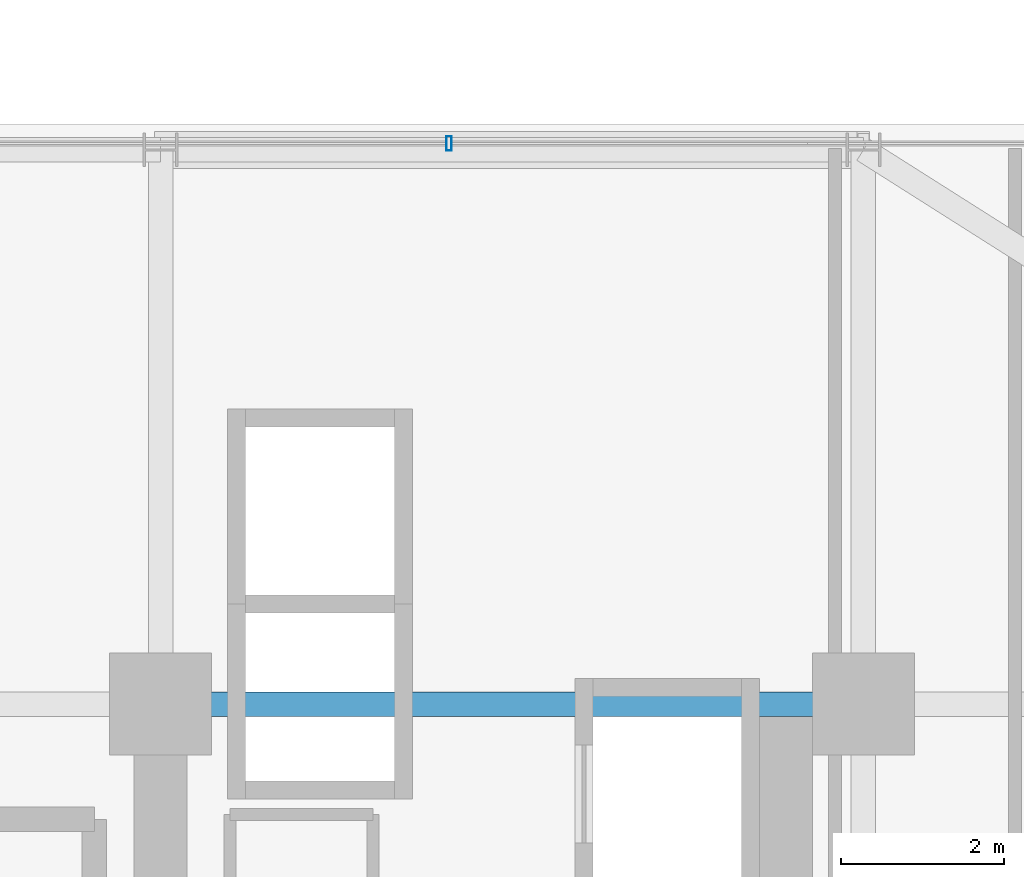
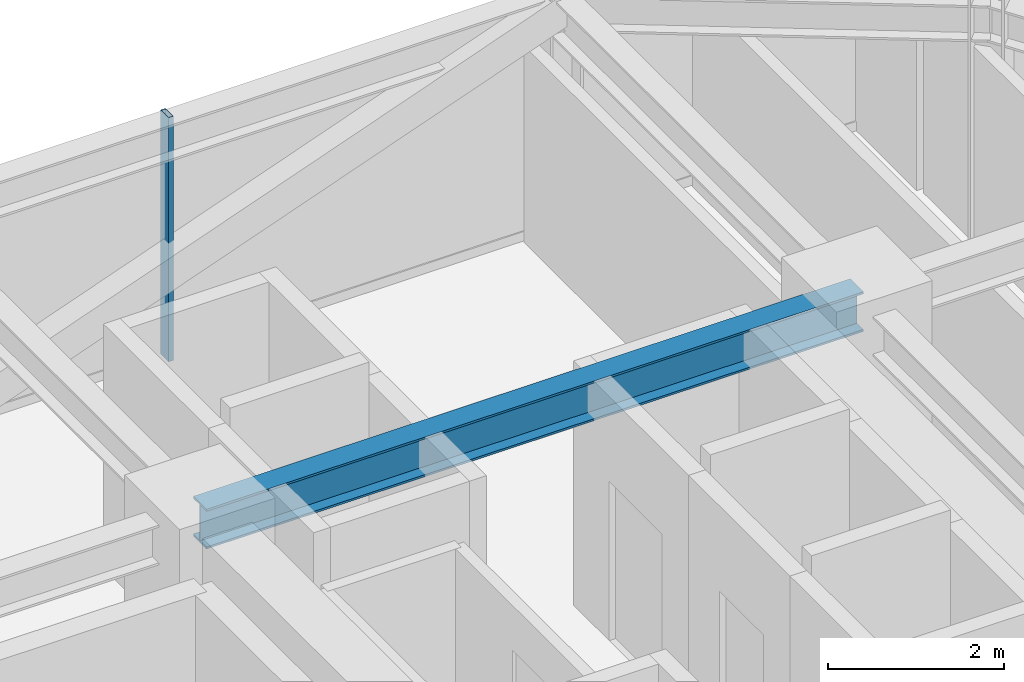
# One storey, part 22 of 40: 1 beam, 1 member, 1 element without a shape of its own.
"""IFC4 building model written with IfcOpenShell, lengths in metres."""

import ifcopenshell
import ifcopenshell.guid

model = None  # the IFC model being written
_history = None  # IfcOwnerHistory: only IFC2X3 demands one
_inside = {}  # id of a spatial element -> (the spatial element, [elements in it])
_under = {}  # id of a project, library or spatial element -> (it, [spatial elements below it])
_declared = {}  # id of a project -> (the project, [libraries it declares])
_typed = {}  # id of a type object -> (the type object, [elements of that type])
_made_of = {}  # id of a material, layer set ... -> (it, [elements and type objects made of it])


def new_model(schema):
    """Start an empty IFC model of exactly this schema.

    Asked for "IFC4X3", IfcOpenShell would pick the latest addendum, in which some entities
    have other attributes; the version numbers below select the first issue.
    IFC2X3 requires an IfcOwnerHistory on every rooted entity: one is made here for all.
    """
    global model, _history
    if schema == "IFC4X3":
        model = ifcopenshell.file(schema_version=(4, 3, 0, 0))
    else:
        model = ifcopenshell.file(schema=schema)
    _inside.clear()
    _under.clear()
    _declared.clear()
    _typed.clear()
    _made_of.clear()
    _history = None
    if model.schema == "IFC2X3":
        org = make("IfcOrganization", Name="unknown")
        user = make(
            "IfcPersonAndOrganization",
            ThePerson=make("IfcPerson", FamilyName="unknown"),
            TheOrganization=org,
        )
        app = make(
            "IfcApplication",
            ApplicationDeveloper=org,
            Version="unknown",
            ApplicationFullName="unknown",
            ApplicationIdentifier="unknown",
        )
        _history = make(
            "IfcOwnerHistory",
            OwningUser=user,
            OwningApplication=app,
            ChangeAction="ADDED",
            CreationDate=0,
        )
    return model


def make(cls, **values):
    """One entity of the class cls with the attributes given. An attribute that is None is left unset."""
    return model.create_entity(
        cls, **{name: value for name, value in values.items() if value is not None}
    )


def rooted(cls, **values):
    """An entity with a GlobalId (a new one), such as an element, a storey or a relation."""
    return make(cls, GlobalId=ifcopenshell.guid.new(), OwnerHistory=_history, **values)


def si_unit(unit_type, name, prefix=None):
    """IfcSIUnit, for example si_unit("LENGTHUNIT", "METRE", prefix="MILLI")."""
    return make("IfcSIUnit", UnitType=unit_type, Prefix=prefix, Name=name)


def assignment(units):
    """IfcUnitAssignment: the units of a project."""
    return None if units is None else make("IfcUnitAssignment", Units=units)


def point(xyz):
    """IfcCartesianPoint."""
    return None if xyz is None else make("IfcCartesianPoint", Coordinates=xyz)


def direction(xyz):
    """IfcDirection."""
    return None if xyz is None else make("IfcDirection", DirectionRatios=xyz)


def frame(location, z_axis=None, x_axis=None):
    """IfcAxis2Placement3D, a coordinate frame: its origin and axes. An axis left out is left unset."""
    return make(
        "IfcAxis2Placement3D",
        Location=point(location),
        Axis=direction(z_axis),
        RefDirection=direction(x_axis),
    )


def frame_2d(location, x_axis=None):
    """IfcAxis2Placement2D, a coordinate frame in the plane: its origin and x axis."""
    return make(
        "IfcAxis2Placement2D", Location=point(location), RefDirection=direction(x_axis)
    )


def origin():
    """The frame at (0, 0, 0) with its axes left unset."""
    return frame((0.0, 0.0, 0.0))


def origin_2d():
    """The frame at (0, 0) in the plane with its x axis left unset."""
    return frame_2d((0.0, 0.0))


def place(relative_to, where):
    """IfcLocalPlacement: puts the frame where relative to a parent placement (None: the world)."""
    return make(
        "IfcLocalPlacement", PlacementRelTo=relative_to, RelativePlacement=where
    )


def context(
    kind, dimensions, precision=None, world=None, true_north=None, identifier=None
):
    """IfcGeometricRepresentationContext, for example the 3D "Model" context."""
    return make(
        "IfcGeometricRepresentationContext",
        ContextIdentifier=identifier,
        ContextType=kind,
        CoordinateSpaceDimension=dimensions,
        Precision=precision,
        WorldCoordinateSystem=world,
        TrueNorth=true_north,
    )


def subcontext(parent, identifier, kind, view, scale=None):
    """IfcGeometricRepresentationSubContext, for example "Body" below "Model"."""
    return make(
        "IfcGeometricRepresentationSubContext",
        ContextIdentifier=identifier,
        ContextType=kind,
        ParentContext=parent,
        TargetScale=scale,
        TargetView=view,
    )


def project(units=None, contexts=None):
    """IfcProject with its units and contexts."""
    return rooted(
        "IfcProject",
        Name="project",
        RepresentationContexts=contexts,
        UnitsInContext=assignment(units),
    )


def spatial(cls, under=None, at=None, **own):
    """A site, building, storey or space (cls), placed at a placement, below another one or the project."""
    s = rooted(cls, ObjectPlacement=at, **own)
    if under is not None:
        _under.setdefault(under.id(), (under, []))[1].append(s)
    return s


def profile(cls, at=None, kind="AREA", **sizes):
    """A parametric profile (cls). Its sizes go by their IFC names, for example OverallWidth=200.0."""
    return make(cls, ProfileType=kind, Position=at, **sizes)


def hollow_rectangle(**sizes):
    """IfcRectangleHollowProfileDef."""
    return profile("IfcRectangleHollowProfileDef", **sizes)


def i_section(**sizes):
    """IfcIShapeProfileDef."""
    return profile("IfcIShapeProfileDef", **sizes)


def extrude(swept, where, along, depth):
    """IfcExtrudedAreaSolid: the profile swept, set in the frame where, extruded along a direction by depth."""
    return make(
        "IfcExtrudedAreaSolid",
        SweptArea=swept,
        Position=where,
        ExtrudedDirection=direction(along),
        Depth=depth,
    )


def shape(context_of_items, identifier, shape_type, items):
    """IfcShapeRepresentation: the items that make up one representation, for example the "Body"."""
    return make(
        "IfcShapeRepresentation",
        ContextOfItems=context_of_items,
        RepresentationIdentifier=identifier,
        RepresentationType=shape_type,
        Items=items,
    )


def source(mapping_origin, context_of_items, identifier, shape_type, items):
    """IfcRepresentationMap: a shape defined once, which mapped items show again and again."""
    return make(
        "IfcRepresentationMap",
        MappingOrigin=mapping_origin,
        MappedRepresentation=shape(context_of_items, identifier, shape_type, items),
    )


def transform(
    local_origin,
    x_axis=None,
    y_axis=None,
    z_axis=None,
    scale=None,
    scale2=None,
    scale3=None,
    uniform=True,
):
    """IfcCartesianTransformationOperator3D, or its non-uniform kind. x_axis, y_axis, z_axis: its Axis1, 2, 3."""
    if uniform:
        return make(
            "IfcCartesianTransformationOperator3D",
            Axis1=direction(x_axis),
            Axis2=direction(y_axis),
            LocalOrigin=point(local_origin),
            Scale=scale,
            Axis3=direction(z_axis),
        )
    return make(
        "IfcCartesianTransformationOperator3DnonUniform",
        Axis1=direction(x_axis),
        Axis2=direction(y_axis),
        LocalOrigin=point(local_origin),
        Scale=scale,
        Axis3=direction(z_axis),
        Scale2=scale2,
        Scale3=scale3,
    )


def mapped(mapping_source, mapping_target):
    """IfcMappedItem: shows the shape of a source again, moved by a transform."""
    return make(
        "IfcMappedItem", MappingSource=mapping_source, MappingTarget=mapping_target
    )


def material(Name=None, Category=None):
    """IfcMaterial."""
    return make("IfcMaterial", Name=Name, Category=Category)


def material_profile(
    of_material, cross_section, Name=None, Category=None, Priority=None
):
    """IfcMaterialProfile: a cross section and its material."""
    return make(
        "IfcMaterialProfile",
        Name=Name,
        Material=of_material,
        Profile=cross_section,
        Priority=Priority,
        Category=Category,
    )


def profile_set(profiles, Name=None, composite=None):
    """IfcMaterialProfileSet."""
    return make(
        "IfcMaterialProfileSet",
        Name=Name,
        MaterialProfiles=profiles,
        CompositeProfile=composite,
    )


def made_of(thing, what):
    """Note that an element or type object is made of a material, layer set ...; save() writes the relation."""
    if what is not None:
        _made_of.setdefault(what.id(), (what, []))[1].append(thing)
    return thing


def type_object(cls, material=None, **own):
    """A type object (cls), such as IfcWallType, which elements share."""
    return made_of(rooted(cls, **own), material)


def element(
    cls,
    number,
    at=None,
    inside=None,
    cuts=None,
    type_object=None,
    material=None,
    context=None,
    identifier="Body",
    shape_type=None,
    held_by="IfcProductDefinitionShape",
    body=None,
    shapes=None,
    **own,
):
    """One element of the class cls, such as IfcWall. Its Tag is "e" and its number.

    at: its placement. inside: the storey or other place that contains it. cuts: it is an
    opening in that element (IfcRelVoidsElement). A single representation is given by context,
    identifier, shape_type and body (its items); several are given by shapes. held_by: the class
    of the entity that holds the representations. save() writes the other relations.
    """
    e = rooted(cls, Tag="e%d" % number, ObjectPlacement=at, **own)
    if body is not None:
        shapes = [shape(context, identifier, shape_type, body)]
    if shapes is not None:
        e.Representation = make(held_by, Representations=shapes)
    if inside is not None:
        _inside.setdefault(inside.id(), (inside, []))[1].append(e)
    if cuts is not None:
        rooted(
            "IfcRelVoidsElement", RelatingBuildingElement=cuts, RelatedOpeningElement=e
        )
    if type_object is not None:
        _typed.setdefault(type_object.id(), (type_object, []))[1].append(e)
    return made_of(e, material)


def aggregate(whole, parts):
    """IfcRelAggregates: a whole, such as a stair, and the parts it consists of."""
    return rooted("IfcRelAggregates", RelatingObject=whole, RelatedObjects=parts)


def save(model, path):
    """Write the relations noted so far, then the file.

    IfcRelAggregates (storeys below a building ...), IfcRelContainedInSpatialStructure (elements
    in a storey), IfcRelDefinesByType, IfcRelAssociatesMaterial and IfcRelDeclares: one each for
    every whole, place, type object, material and project.
    """
    for whole, parts in _under.values():
        aggregate(whole, parts)
    for where, things in _inside.values():
        rooted(
            "IfcRelContainedInSpatialStructure",
            RelatedElements=things,
            RelatingStructure=where,
        )
    for kind, things in _typed.values():
        rooted("IfcRelDefinesByType", RelatedObjects=things, RelatingType=kind)
    for what, things in _made_of.values():
        rooted("IfcRelAssociatesMaterial", RelatedObjects=things, RelatingMaterial=what)
    for by, libraries in _declared.values():
        rooted("IfcRelDeclares", RelatingContext=by, RelatedDefinitions=libraries)
    model.write(path)


model = new_model("IFC4")

# Units and contexts
model_context = context("Model", 3, precision=1e-05, world=origin(), true_north=direction((0.0, 1.0)))
body_context = subcontext(model_context, "Body", "Model", "MODEL_VIEW")
ifc_project = project(units=[si_unit("LENGTHUNIT", "METRE"), si_unit("AREAUNIT", "SQUARE_METRE"), si_unit("VOLUMEUNIT", "CUBIC_METRE"), si_unit("PLANEANGLEUNIT", "RADIAN"), si_unit("MASSUNIT", "GRAM", prefix="KILO")], contexts=[model_context])

# Site, building, storey
site_placement = place(None, origin())
site = spatial("IfcSite", under=ifc_project, at=site_placement, CompositionType="ELEMENT")
building_placement = place(site_placement, origin())
building = spatial("IfcBuilding", under=site, at=building_placement, Name="Nahalor Promenade Grand Hotel", CompositionType="ELEMENT")
storey_placement = place(building_placement, frame((0.0, 0.0, 91.949951171875)))
storey = spatial("IfcBuildingStorey", under=building, at=storey_placement, Name="L22", CompositionType="ELEMENT", Elevation=91.949951171875)

# Beam
ifc_material_1 = material(Name="Steel S355JR", Category="steel")
ifc_material_profile_1 = material_profile(ifc_material_1, i_section(OverallWidth=0.3, OverallDepth=0.55, WebThickness=0.015, FlangeThickness=0.029, at=origin_2d()), Name="HEB 550")
ifc_profile_set_1 = profile_set([ifc_material_profile_1], Name="Steel S355JR")
beam_type = type_object("IfcBeamType", Name="Beam-Girder-HEB550", PredefinedType="BEAM", material=ifc_profile_set_1)
shared_shape_1 = source(origin(), body_context, "Body", "SweptSolid", [
    extrude(i_section(OverallWidth=0.3, OverallDepth=0.55, WebThickness=0.015, FlangeThickness=0.029, at=origin_2d()), origin(), (0.0, 0.0, 1.0), 8.60009765625),
])
beam_placement = place(storey_placement, frame((8.39990234375, 17.0, 3.10498046875), z_axis=(1.0, 0.0, 0.0), x_axis=(0.0, 1.0, 0.0)))
element("IfcBeam", 1, at=beam_placement, inside=storey, type_object=beam_type, Name="BM-L22-GX-3-5", PredefinedType="BEAM", context=body_context, shape_type="MappedRepresentation", body=[
    mapped(shared_shape_1, transform((0.0, 0.0, 0.0), scale=1.0)),
])

# Curtain wall, member
ifc_material_2 = material(Name="Anodised Bronze Aluminium EN AW-6063 T6", Category="aluminium")
curtain_wall_type = type_object("IfcCurtainWallType", Name="CW2 Typical Hotel Flush Bronze Unitised Curtain Wall", PredefinedType="USERDEFINED", material=ifc_material_2)
curtain_wall_placement = place(storey_placement, origin())
curtain_wall = element("IfcCurtainWall", 2, at=curtain_wall_placement, inside=storey, type_object=curtain_wall_type, Name="L22 Curtain Wall CW-L22-N-3", ObjectType="UNITISED_CURTAIN_WALL", PredefinedType="USERDEFINED")
ifc_material_profile_2 = material_profile(ifc_material_2, hollow_rectangle(XDim=0.065, YDim=0.18, WallThickness=0.004, at=origin_2d()), Name="CWM 65x180x4")
ifc_profile_set_2 = profile_set([ifc_material_profile_2], Name="Anodised Bronze Aluminium EN AW-6063 T6")
member_type = type_object("IfcMemberType", Name="CWM2 Typical Bronze Mullion 65x180", PredefinedType="MULLION", material=ifc_profile_set_2)
shared_shape_2 = source(origin(), body_context, "Body", "SweptSolid", [
    extrude(hollow_rectangle(XDim=0.065, YDim=0.18, WallThickness=0.004, at=origin_2d()), origin(), (0.0, 0.0, 1.0), 3.380126953125),
])
member_placement = place(storey_placement, frame((11.929931640625, 23.860107421875, 0.0), z_axis=(0.0, 0.0, 1.0), x_axis=(1.0, 0.0, 0.0)))
member = element("IfcMember", 3, at=member_placement, type_object=member_type, Name="CW-L22-N-3 Mullion 1", PredefinedType="MULLION", context=body_context, shape_type="MappedRepresentation", body=[
    mapped(shared_shape_2, transform((0.0, 0.0, 0.0), scale=1.0)),
])
aggregate(curtain_wall, [member])

save(model, "model.ifc")
